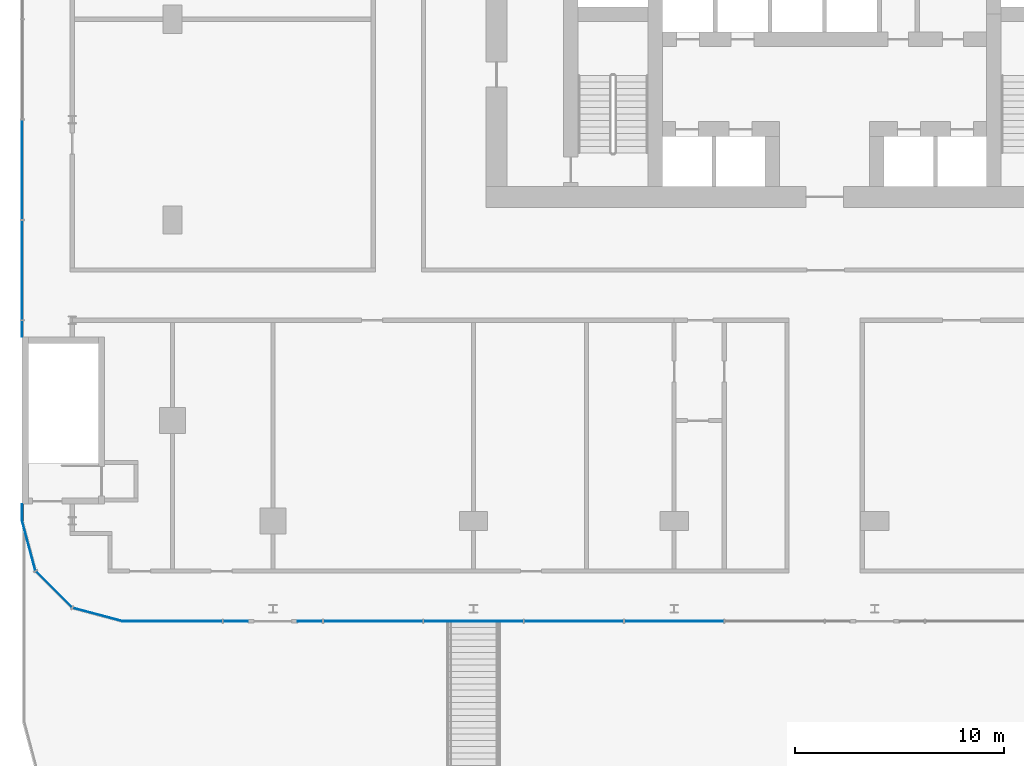
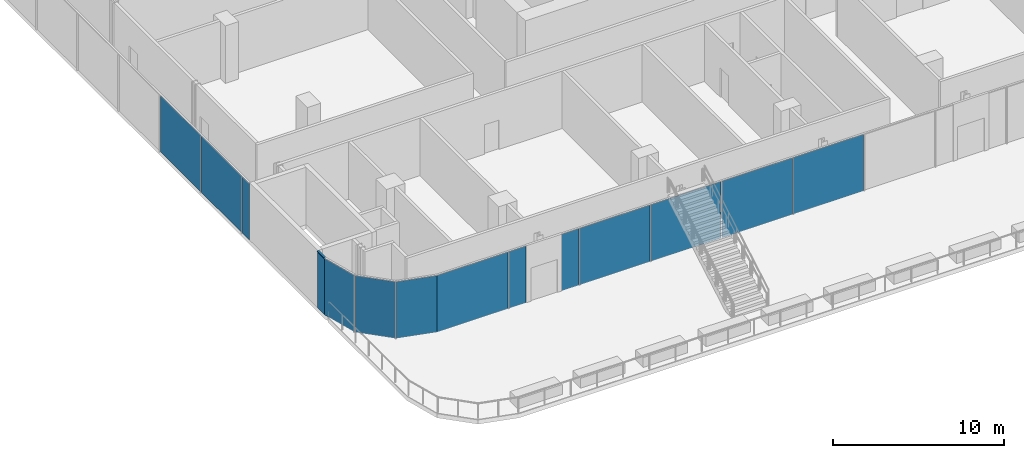
# One storey, part 19 of 32: 14 plates, 1 member, 3 elements without a shape of their own.
"""IFC4 building model written with IfcOpenShell, lengths in metres."""

from ifc_helpers import new_model, si_unit, direction, frame, origin, origin_2d, place, context, subcontext, project, spatial, rectangle, extrude, material, layer, layer_set, material_profile, profile_set, type_object, element, aggregate, save


model = new_model("IFC4")

# Units and contexts
model_context = context("Model", 3, precision=1e-05, world=origin(), true_north=direction((0.0, 1.0)))
body_context = subcontext(model_context, "Body", "Model", "MODEL_VIEW")
ifc_project = project(units=[si_unit("LENGTHUNIT", "METRE"), si_unit("AREAUNIT", "SQUARE_METRE"), si_unit("VOLUMEUNIT", "CUBIC_METRE"), si_unit("PLANEANGLEUNIT", "RADIAN"), si_unit("MASSUNIT", "GRAM", prefix="KILO")], contexts=[model_context])

# Site, building, storey
site_placement = place(None, origin())
site = spatial("IfcSite", under=ifc_project, at=site_placement, CompositionType="ELEMENT")
building_placement = place(site_placement, origin())
building = spatial("IfcBuilding", under=site, at=building_placement, Name="Madar Terraces", CompositionType="ELEMENT")
storey_placement = place(building_placement, frame((0.0, 0.0, 19.5)))
storey = spatial("IfcBuildingStorey", under=building, at=storey_placement, Name="L04", CompositionType="ELEMENT", Elevation=19.5)

# Curtain wall, member
ifc_material_1 = material(Name="Glass, clear low-iron, with black aluminium frame", Category="aluminium")
ifc_layer_1 = layer(ifc_material_1, 0.199951171875)
ifc_layer_set_1 = layer_set([ifc_layer_1], Name="Facade curtain wall, shopfront glazing")
curtain_wall_type = type_object("IfcCurtainWallType", Name="Facade curtain wall, shopfront glazing", PredefinedType="NOTDEFINED", material=ifc_layer_set_1)
curtain_wall_1_placement = place(storey_placement, origin())
curtain_wall_1 = element("IfcCurtainWall", 1, at=curtain_wall_1_placement, inside=storey, type_object=curtain_wall_type, Name="Outer skin curtain wall west bay 1", PredefinedType="NOTDEFINED")
ifc_material_2 = material(Name="Aluminium, black anodised", Category="aluminium")
ifc_material_profile = material_profile(ifc_material_2, rectangle(XDim=0.1201171875, YDim=0.06005859375, at=origin_2d()), Name="Facade transom 60x120")
ifc_profile_set = profile_set([ifc_material_profile], Name="Aluminium, black anodised")
member_type = type_object("IfcMemberType", Name="Facade transom 60x120", PredefinedType="USERDEFINED", material=ifc_profile_set)
member_placement = place(storey_placement, frame((-7.199951171875, 0.800048828125, 4.070068359375), z_axis=(0.0, -1.0, 0.0), x_axis=(1.0, 0.0, 0.0)))
member = element("IfcMember", 2, at=member_placement, type_object=member_type, Name="Transom 2", ObjectType="TRANSOM", PredefinedType="USERDEFINED", context=body_context, shape_type="SweptSolid", body=[
    extrude(rectangle(XDim=0.1201171875, YDim=0.06005859375, at=origin_2d()), origin(), (0.0, 0.0, 1.0), 0.800048828125),
])

# Curtain wall, plates
curtain_wall_2_placement = place(storey_placement, origin())
curtain_wall_2 = element("IfcCurtainWall", 3, at=curtain_wall_2_placement, inside=storey, type_object=curtain_wall_type, Name="Outer skin curtain wall south bay 1", PredefinedType="NOTDEFINED")
ifc_material_3 = material(Name="Glass, ceramic frit dark grey", Category="glass")
ifc_layer_2 = layer(ifc_material_3, 0.028076171875)
ifc_layer_set_2 = layer_set([ifc_layer_2], Name="Facade glass panel 28")
plate_type = type_object("IfcPlateType", Name="Facade glass panel 28", PredefinedType="CURTAIN_PANEL", material=ifc_layer_set_2)
plate_1_placement = place(storey_placement, frame((-0.014892578125, -4.800048828125, 0.0), z_axis=(0.0, 0.0, 1.0), x_axis=(1.0, 0.0, 0.0)))
plate_1 = element("IfcPlate", 4, at=plate_1_placement, type_object=plate_type, Name="Panel 1", PredefinedType="CURTAIN_PANEL", context=body_context, shape_type="SweptSolid", body=[
    extrude(rectangle(XDim=4.77001953125, YDim=0.028076171875, at=origin_2d()), origin(), (0.0, 0.0, 1.0), 4.0400390625),
])
plate_2_placement = place(storey_placement, frame((3.014892578125, -4.800048828125, 0.0), z_axis=(0.0, 0.0, 1.0), x_axis=(1.0, 0.0, 0.0)))
plate_2 = element("IfcPlate", 5, at=plate_2_placement, type_object=plate_type, Name="Panel 2", PredefinedType="CURTAIN_PANEL", context=body_context, shape_type="SweptSolid", body=[
    extrude(rectangle(XDim=1.169921875, YDim=0.028076171875, at=origin_2d()), origin(), (0.0, 0.0, 1.0), 4.0400390625),
])
plate_3_placement = place(storey_placement, frame((6.5849609375, -4.800048828125, 0.0), z_axis=(0.0, 0.0, 1.0), x_axis=(1.0, 0.0, 0.0)))
plate_3 = element("IfcPlate", 6, at=plate_3_placement, type_object=plate_type, Name="Panel 3", PredefinedType="CURTAIN_PANEL", context=body_context, shape_type="SweptSolid", body=[
    extrude(rectangle(XDim=1.169921875, YDim=0.028076171875, at=origin_2d()), origin(), (0.0, 0.0, 1.0), 4.0400390625),
])
plate_4_placement = place(storey_placement, frame((9.60009765625, -4.800048828125, 0.0), z_axis=(0.0, 0.0, 1.0), x_axis=(1.0, 0.0, 0.0)))
plate_4 = element("IfcPlate", 7, at=plate_4_placement, type_object=plate_type, Name="Panel 4", PredefinedType="CURTAIN_PANEL", context=body_context, shape_type="SweptSolid", body=[
    extrude(rectangle(XDim=4.739990234375, YDim=0.028076171875, at=origin_2d()), origin(), (0.0, 0.0, 1.0), 4.0400390625),
])
plate_5_placement = place(storey_placement, frame((14.39990234375, -4.800048828125, 0.0), z_axis=(0.0, 0.0, 1.0), x_axis=(1.0, 0.0, 0.0)))
plate_5 = element("IfcPlate", 8, at=plate_5_placement, type_object=plate_type, Name="Panel 5", PredefinedType="CURTAIN_PANEL", context=body_context, shape_type="SweptSolid", body=[
    extrude(rectangle(XDim=4.739990234375, YDim=0.028076171875, at=origin_2d()), origin(), (0.0, 0.0, 1.0), 4.0400390625),
])
plate_6_placement = place(storey_placement, frame((19.199951171875, -4.800048828125, 0.0), z_axis=(0.0, 0.0, 1.0), x_axis=(1.0, 0.0, 0.0)))
plate_6 = element("IfcPlate", 9, at=plate_6_placement, type_object=plate_type, Name="Panel 6", PredefinedType="CURTAIN_PANEL", context=body_context, shape_type="SweptSolid", body=[
    extrude(rectangle(XDim=4.739990234375, YDim=0.028076171875, at=origin_2d()), origin(), (0.0, 0.0, 1.0), 4.0400390625),
])
plate_7_placement = place(storey_placement, frame((24.0, -4.800048828125, 0.0), z_axis=(0.0, 0.0, 1.0), x_axis=(1.0, 0.0, 0.0)))
plate_7 = element("IfcPlate", 10, at=plate_7_placement, type_object=plate_type, Name="Panel 7", PredefinedType="CURTAIN_PANEL", context=body_context, shape_type="SweptSolid", body=[
    extrude(rectangle(XDim=4.739990234375, YDim=0.028076171875, at=origin_2d()), origin(), (0.0, 0.0, 1.0), 4.0400390625),
])
aggregate(curtain_wall_2, [plate_1, plate_2, plate_3, plate_4, plate_5, plate_6, plate_7])

# Plate
plate_8_placement = place(storey_placement, frame((-7.199951171875, 16.800048828125, 0.0), z_axis=(0.0, 0.0, 1.0), x_axis=(0.0, -1.0, 0.0)))
plate_8 = element("IfcPlate", 11, at=plate_8_placement, type_object=plate_type, Name="Panel 8", PredefinedType="CURTAIN_PANEL", context=body_context, shape_type="SweptSolid", body=[
    extrude(rectangle(XDim=4.739990234375, YDim=0.028076171875, at=origin_2d()), origin(), (0.0, 0.0, 1.0), 4.0400390625),
])

plate_9_placement = place(storey_placement, frame((-7.199951171875, 12.0, 0.0), z_axis=(0.0, 0.0, 1.0), x_axis=(0.0, -1.0, 0.0)))
plate_9 = element("IfcPlate", 12, at=plate_9_placement, type_object=plate_type, Name="Panel 9", PredefinedType="CURTAIN_PANEL", context=body_context, shape_type="SweptSolid", body=[
    extrude(rectangle(XDim=4.739990234375, YDim=0.028076171875, at=origin_2d()), origin(), (0.0, 0.0, 1.0), 4.0400390625),
])

plate_10_placement = place(storey_placement, frame((-7.199951171875, 9.18505859375, 0.0), z_axis=(0.0, 0.0, 1.0), x_axis=(0.0, -1.0, 0.0)))
plate_10 = element("IfcPlate", 13, at=plate_10_placement, type_object=plate_type, Name="Panel 10", PredefinedType="CURTAIN_PANEL", context=body_context, shape_type="SweptSolid", body=[
    extrude(rectangle(XDim=0.77001953125, YDim=0.028076171875, at=origin_2d()), origin(), (0.0, 0.0, 1.0), 4.0400390625),
])

plate_11_placement = place(storey_placement, frame((-7.199951171875, 0.39990234375, 0.0), z_axis=(0.0, 0.0, 1.0), x_axis=(0.0, -1.0, 0.0)))
plate_11 = element("IfcPlate", 14, at=plate_11_placement, type_object=plate_type, Name="Panel 11", PredefinedType="CURTAIN_PANEL", context=body_context, shape_type="SweptSolid", body=[
    extrude(rectangle(XDim=0.800048828125, YDim=0.028076171875, at=origin_2d()), origin(), (0.0, 0.0, 1.0), 4.0400390625),
])

aggregate(curtain_wall_1, [plate_8, plate_9, plate_10, member, plate_11])

# Curtain wall, plates
curtain_wall_3_placement = place(storey_placement, origin())
curtain_wall_3 = element("IfcCurtainWall", 15, at=curtain_wall_3_placement, inside=storey, type_object=curtain_wall_type, Name="Outer skin curtain wall south-west corner", PredefinedType="NOTDEFINED")
plate_12_placement = place(storey_placement, frame((-6.88232421875, -1.185546875, 0.0), z_axis=(0.0, 0.0, 1.0), x_axis=(0.258819021888, -0.965925832509, 0.0)))
plate_12 = element("IfcPlate", 16, at=plate_12_placement, type_object=plate_type, Name="Panel 1", PredefinedType="CURTAIN_PANEL", context=body_context, shape_type="SweptSolid", body=[
    extrude(rectangle(XDim=2.45458984375, YDim=0.028076171875, at=origin_2d()), origin(), (0.0, 0.0, 1.0), 4.0400390625),
])
plate_13_placement = place(storey_placement, frame((-5.678466796875, -3.278564453125, 0.0), z_axis=(0.0, 0.0, 1.0), x_axis=(0.707106781187, -0.707106781187, 0.0)))
plate_13 = element("IfcPlate", 17, at=plate_13_placement, type_object=plate_type, Name="Panel 2", PredefinedType="CURTAIN_PANEL", context=body_context, shape_type="SweptSolid", body=[
    extrude(rectangle(XDim=2.424560546875, YDim=0.028076171875, at=origin_2d()), origin(), (0.0, 0.0, 1.0), 4.0400390625),
])
plate_14_placement = place(storey_placement, frame((-3.58544921875, -4.482421875, 0.0), z_axis=(0.0, 0.0, 1.0), x_axis=(0.965925832509, -0.258819021888, 0.0)))
plate_14 = element("IfcPlate", 18, at=plate_14_placement, type_object=plate_type, Name="Panel 3", PredefinedType="CURTAIN_PANEL", context=body_context, shape_type="SweptSolid", body=[
    extrude(rectangle(XDim=2.45458984375, YDim=0.028076171875, at=origin_2d()), origin(), (0.0, 0.0, 1.0), 4.0400390625),
])
aggregate(curtain_wall_3, [plate_12, plate_13, plate_14])

save(model, "model.ifc")
